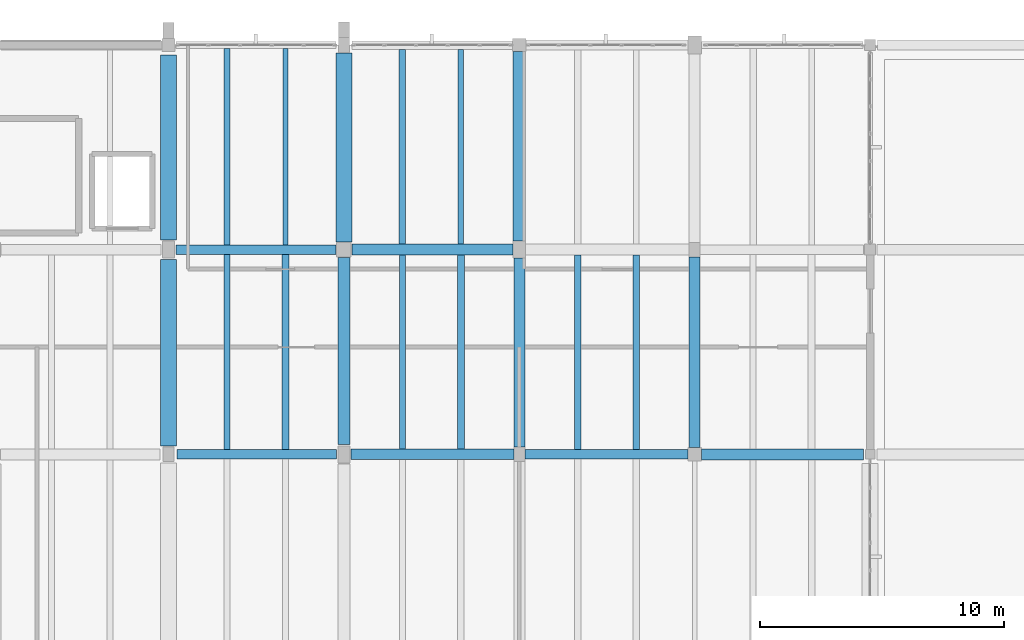
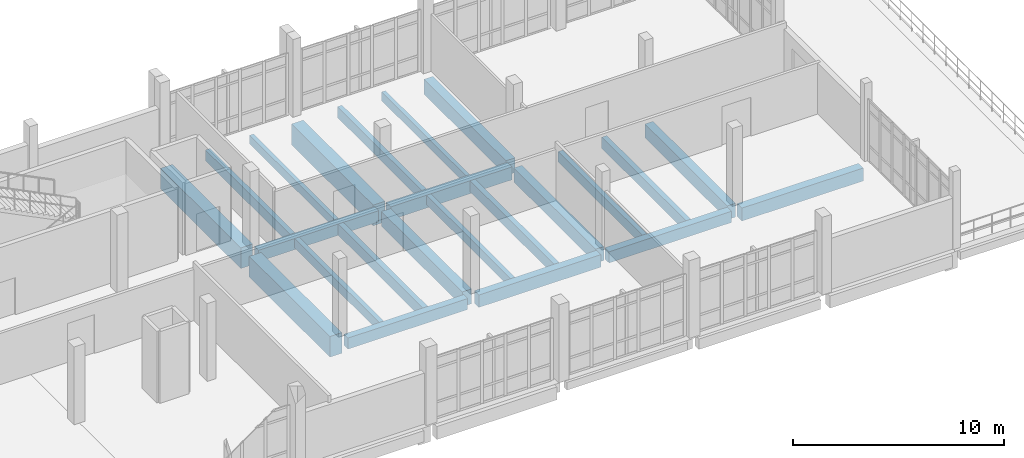
# One storey, part 37 of 62: 23 beams.
"""IFC4 building model written with IfcOpenShell, lengths in metres."""

from ifc_helpers import new_model, si_unit, direction, frame, origin, origin_2d, place, context, subcontext, project, spatial, rectangle, extrude, material, material_profile, profile_set, type_object, element, save


model = new_model("IFC4")

# Units and contexts
model_context = context("Model", 3, precision=1e-05, world=origin(), true_north=direction((0.0, 1.0)))
body_context = subcontext(model_context, "Body", "Model", "MODEL_VIEW")
ifc_project = project(units=[si_unit("LENGTHUNIT", "METRE"), si_unit("AREAUNIT", "SQUARE_METRE"), si_unit("VOLUMEUNIT", "CUBIC_METRE"), si_unit("PLANEANGLEUNIT", "RADIAN"), si_unit("MASSUNIT", "GRAM", prefix="KILO")], contexts=[model_context])

# Site, building, storey
site_placement = place(None, origin())
site = spatial("IfcSite", under=ifc_project, at=site_placement, CompositionType="ELEMENT")
building_placement = place(site_placement, origin())
building = spatial("IfcBuilding", under=site, at=building_placement, Name="Kalluvel Institute of Natural Sciences", CompositionType="ELEMENT")
storey_placement = place(building_placement, frame((0.0, 0.0, 27.89990234375)))
storey = spatial("IfcBuildingStorey", under=building, at=storey_placement, Name="L06", CompositionType="ELEMENT", Elevation=27.89990234375)

# Beams
ifc_material_1 = material(Name="Concrete M40", Category="concrete")
ifc_material_profile_1 = material_profile(ifc_material_1, rectangle(XDim=0.3798828125, YDim=0.639892578125, at=origin_2d()), Name="RCB 380x640")
ifc_profile_set_1 = profile_set([ifc_material_profile_1], Name="Concrete M40")
beam_type_1 = type_object("IfcBeamType", Name="BM-RC380x640", PredefinedType="BEAM", material=ifc_profile_set_1)
beam_1_placement = place(storey_placement, frame((79.14990234375, 111.199951171875, -0.639892578125), z_axis=(1.0, 0.0, 0.0), x_axis=(0.0, 1.0, 0.0)))
element("IfcBeam", 1, at=beam_1_placement, inside=storey, type_object=beam_type_1, Name="L06 girder GIR-L06-EW-X788-Y1112", PredefinedType="BEAM", context=body_context, shape_type="SweptSolid", body=[
    extrude(rectangle(XDim=0.3798828125, YDim=0.639892578125, at=origin_2d()), origin(), (0.0, 0.0, 1.0), 6.550048828125),
])
ifc_material_profile_2 = material_profile(ifc_material_1, rectangle(XDim=0.39990234375, YDim=0.64990234375, at=origin_2d()), Name="RCB 400x650")
ifc_profile_set_2 = profile_set([ifc_material_profile_2], Name="Concrete M40")
beam_type_2 = type_object("IfcBeamType", Name="BM-RC400x650", PredefinedType="BEAM", material=ifc_profile_set_2)
beam_2_placement = place(storey_placement, frame((93.425048828125, 111.199951171875, -0.64501953125), z_axis=(1.0, 0.0, 0.0), x_axis=(0.0, 1.0, 0.0)))
element("IfcBeam", 2, at=beam_2_placement, inside=storey, type_object=beam_type_2, Name="L06 girder GIR-L06-EW-X932-Y1112", PredefinedType="BEAM", context=body_context, shape_type="SweptSolid", body=[
    extrude(rectangle(XDim=0.39990234375, YDim=0.64990234375, at=origin_2d()), origin(), (0.0, 0.0, 1.0), 6.699951171875),
])
beam_3_placement = place(storey_placement, frame((79.10009765625, 119.60009765625, -0.64501953125), z_axis=(1.0, 0.0, 0.0), x_axis=(0.0, 1.0, 0.0)))
element("IfcBeam", 3, at=beam_3_placement, inside=storey, type_object=beam_type_2, Name="L06 girder GIR-L06-EW-X788-Y1196", PredefinedType="BEAM", context=body_context, shape_type="SweptSolid", body=[
    extrude(rectangle(XDim=0.39990234375, YDim=0.64990234375, at=origin_2d()), origin(), (0.0, 0.0, 1.0), 6.574951171875),
])
ifc_material_profile_3 = material_profile(ifc_material_1, rectangle(XDim=0.419921875, YDim=0.719970703125, at=origin_2d()), Name="RCB 420x720")
ifc_profile_set_3 = profile_set([ifc_material_profile_3], Name="Concrete M40")
beam_type_3 = type_object("IfcBeamType", Name="BM-RC420x720", PredefinedType="BEAM", material=ifc_profile_set_3)
beam_4_placement = place(storey_placement, frame((86.300048828125, 111.199951171875, -0.679931640625), z_axis=(1.0, 0.0, 0.0), x_axis=(0.0, 1.0, 0.0)))
element("IfcBeam", 4, at=beam_4_placement, inside=storey, type_object=beam_type_3, Name="L06 girder GIR-L06-EW-X860-Y1112", PredefinedType="BEAM", context=body_context, shape_type="SweptSolid", body=[
    extrude(rectangle(XDim=0.419921875, YDim=0.719970703125, at=origin_2d()), origin(), (0.0, 0.0, 1.0), 6.675048828125),
])
ifc_material_profile_4 = material_profile(ifc_material_1, rectangle(XDim=0.449951171875, YDim=0.75, at=origin_2d()), Name="RCB 450x750")
ifc_profile_set_4 = profile_set([ifc_material_profile_4], Name="Concrete M40")
beam_type_4 = type_object("IfcBeamType", Name="BM-RC450x750", PredefinedType="BEAM", material=ifc_profile_set_4)
beam_5_placement = place(storey_placement, frame((100.675048828125, 111.199951171875, -0.69482421875), z_axis=(1.0, 0.0, 0.0), x_axis=(0.0, 1.0, 0.0)))
element("IfcBeam", 5, at=beam_5_placement, inside=storey, type_object=beam_type_4, Name="L06 girder GIR-L06-EW-X1004-Y1112", PredefinedType="BEAM", context=body_context, shape_type="SweptSolid", body=[
    extrude(rectangle(XDim=0.449951171875, YDim=0.75, at=origin_2d()), origin(), (0.0, 0.0, 1.0), 6.64990234375),
])
beam_6_placement = place(storey_placement, frame((86.324951171875, 119.60009765625, -0.69482421875), z_axis=(1.0, 0.0, 0.0), x_axis=(0.0, 1.0, 0.0)))
element("IfcBeam", 6, at=beam_6_placement, inside=storey, type_object=beam_type_4, Name="L06 girder GIR-L06-EW-X860-Y1196", PredefinedType="BEAM", context=body_context, shape_type="SweptSolid", body=[
    extrude(rectangle(XDim=0.449951171875, YDim=0.75, at=origin_2d()), origin(), (0.0, 0.0, 1.0), 6.625),
])
ifc_material_profile_5 = material_profile(ifc_material_1, rectangle(XDim=0.449951171875, YDim=0.800048828125, at=origin_2d()), Name="RCB 450x800")
ifc_profile_set_5 = profile_set([ifc_material_profile_5], Name="Concrete M40")
beam_type_5 = type_object("IfcBeamType", Name="BM-RC450x800", PredefinedType="BEAM", material=ifc_profile_set_5)
beam_7_placement = place(storey_placement, frame((93.199951171875, 111.5, -0.719970703125), z_axis=(0.0, 1.0, 0.0), x_axis=(-1.0, 0.0, 0.0)))
element("IfcBeam", 7, at=beam_7_placement, inside=storey, type_object=beam_type_5, Name="L06 girder GIR-L06-NS-X932-Y1112", PredefinedType="BEAM", context=body_context, shape_type="SweptSolid", body=[
    extrude(rectangle(XDim=0.449951171875, YDim=0.800048828125, at=origin_2d()), origin(), (0.0, 0.0, 1.0), 7.75),
])
beam_8_placement = place(storey_placement, frame((100.39990234375, 111.47509765625, -0.719970703125), z_axis=(0.0, 1.0, 0.0), x_axis=(-1.0, 0.0, 0.0)))
element("IfcBeam", 8, at=beam_8_placement, inside=storey, type_object=beam_type_5, Name="L06 girder GIR-L06-NS-X1004-Y1112", PredefinedType="BEAM", context=body_context, shape_type="SweptSolid", body=[
    extrude(rectangle(XDim=0.449951171875, YDim=0.800048828125, at=origin_2d()), origin(), (0.0, 0.0, 1.0), 7.824951171875),
])
ifc_material_2 = material(Name="Concrete M50", Category="concrete")
ifc_material_profile_6 = material_profile(ifc_material_2, rectangle(XDim=0.5, YDim=0.85009765625, at=origin_2d()), Name="RCB 500x850")
ifc_profile_set_6 = profile_set([ifc_material_profile_6], Name="Concrete M50")
beam_type_6 = type_object("IfcBeamType", Name="BM-RC500x850", PredefinedType="BEAM", material=ifc_profile_set_6)
beam_9_placement = place(storey_placement, frame((86.0, 111.60009765625, -0.744873046875), z_axis=(0.0, 1.0, 0.0), x_axis=(-1.0, 0.0, 0.0)))
element("IfcBeam", 9, at=beam_9_placement, inside=storey, type_object=beam_type_6, Name="L06 girder GIR-L06-NS-X860-Y1112", PredefinedType="BEAM", context=body_context, shape_type="SweptSolid", body=[
    extrude(rectangle(XDim=0.5, YDim=0.85009765625, at=origin_2d()), origin(), (0.0, 0.0, 1.0), 7.6748046875),
])
beam_10_placement = place(storey_placement, frame((93.199951171875, 119.949951171875, -0.744873046875), z_axis=(0.0, 1.0, 0.0), x_axis=(-1.0, 0.0, 0.0)))
element("IfcBeam", 10, at=beam_10_placement, inside=storey, type_object=beam_type_6, Name="L06 girder GIR-L06-NS-X932-Y1196", PredefinedType="BEAM", context=body_context, shape_type="SweptSolid", body=[
    extrude(rectangle(XDim=0.5, YDim=0.85009765625, at=origin_2d()), origin(), (0.0, 0.0, 1.0), 7.775146484375),
])
ifc_material_profile_7 = material_profile(ifc_material_2, rectangle(XDim=0.64990234375, YDim=1.199951171875, at=origin_2d()), Name="RCB 650x1200")
ifc_profile_set_7 = profile_set([ifc_material_profile_7], Name="Concrete M50")
beam_type_7 = type_object("IfcBeamType", Name="BM-RC650x1200", PredefinedType="BEAM", material=ifc_profile_set_7)
beam_11_placement = place(storey_placement, frame((78.800048828125, 111.550048828125, -0.919921875), z_axis=(0.0, 1.0, 0.0), x_axis=(-1.0, 0.0, 0.0)))
element("IfcBeam", 11, at=beam_11_placement, inside=storey, type_object=beam_type_7, Name="L06 girder GIR-L06-NS-X788-Y1112", PredefinedType="BEAM", context=body_context, shape_type="SweptSolid", body=[
    extrude(rectangle(XDim=0.64990234375, YDim=1.199951171875, at=origin_2d()), origin(), (0.0, 0.0, 1.0), 7.64990234375),
])
beam_12_placement = place(storey_placement, frame((78.800048828125, 120.0, -0.919921875), z_axis=(0.0, 1.0, 0.0), x_axis=(-1.0, 0.0, 0.0)))
element("IfcBeam", 12, at=beam_12_placement, inside=storey, type_object=beam_type_7, Name="L06 girder GIR-L06-NS-X788-Y1196", PredefinedType="BEAM", context=body_context, shape_type="SweptSolid", body=[
    extrude(rectangle(XDim=0.64990234375, YDim=1.199951171875, at=origin_2d()), origin(), (0.0, 0.0, 1.0), 7.60009765625),
])
beam_13_placement = place(storey_placement, frame((86.0, 119.925048828125, -0.919921875), z_axis=(0.0, 1.0, 0.0), x_axis=(-1.0, 0.0, 0.0)))
element("IfcBeam", 13, at=beam_13_placement, inside=storey, type_object=beam_type_7, Name="L06 girder GIR-L06-NS-X860-Y1196", PredefinedType="BEAM", context=body_context, shape_type="SweptSolid", body=[
    extrude(rectangle(XDim=0.64990234375, YDim=1.199951171875, at=origin_2d()), origin(), (0.0, 0.0, 1.0), 7.75),
])
ifc_material_profile_8 = material_profile(ifc_material_1, rectangle(XDim=0.219970703125, YDim=0.5, at=origin_2d()), Name="WAF 220x500")
ifc_profile_set_8 = profile_set([ifc_material_profile_8], Name="Concrete M40")
beam_type_8 = type_object("IfcBeamType", Name="WJ-220x500", PredefinedType="JOIST", material=ifc_profile_set_8)
beam_14_placement = place(storey_placement, frame((83.60009765625, 119.800048828125, -0.56982421875), z_axis=(0.0, 1.0, 0.0), x_axis=(-1.0, 0.0, 0.0)))
element("IfcBeam", 14, at=beam_14_placement, inside=storey, type_object=beam_type_8, Name="L06 waffle joist RIB-L06-0493", PredefinedType="JOIST", context=body_context, shape_type="SweptSolid", body=[
    extrude(rectangle(XDim=0.219970703125, YDim=0.5, at=origin_2d()), origin(), (0.0, 0.0, 1.0), 8.050048828125),
])
beam_15_placement = place(storey_placement, frame((90.800048828125, 119.824951171875, -0.56982421875), z_axis=(0.0, 1.0, 0.0), x_axis=(-1.0, 0.0, 0.0)))
element("IfcBeam", 15, at=beam_15_placement, inside=storey, type_object=beam_type_8, Name="L06 waffle joist RIB-L06-0499", PredefinedType="JOIST", context=body_context, shape_type="SweptSolid", body=[
    extrude(rectangle(XDim=0.219970703125, YDim=0.5, at=origin_2d()), origin(), (0.0, 0.0, 1.0), 8.0),
])
ifc_material_profile_9 = material_profile(ifc_material_1, rectangle(XDim=0.25, YDim=0.550048828125, at=origin_2d()), Name="WAF 250x550")
ifc_profile_set_9 = profile_set([ifc_material_profile_9], Name="Concrete M40")
beam_type_9 = type_object("IfcBeamType", Name="WJ-250x550", PredefinedType="JOIST", material=ifc_profile_set_9)
beam_16_placement = place(storey_placement, frame((81.199951171875, 111.389892578125, -0.594970703125), z_axis=(0.0, 1.0, 0.0), x_axis=(-1.0, 0.0, 0.0)))
element("IfcBeam", 16, at=beam_16_placement, inside=storey, type_object=beam_type_9, Name="L06 waffle joist RIB-L06-0490", PredefinedType="JOIST", context=body_context, shape_type="SweptSolid", body=[
    extrude(rectangle(XDim=0.25, YDim=0.550048828125, at=origin_2d()), origin(), (0.0, 0.0, 1.0), 8.010009765625),
])
beam_17_placement = place(storey_placement, frame((88.39990234375, 111.409912109375, -0.594970703125), z_axis=(0.0, 1.0, 0.0), x_axis=(-1.0, 0.0, 0.0)))
element("IfcBeam", 17, at=beam_17_placement, inside=storey, type_object=beam_type_9, Name="L06 waffle joist RIB-L06-0496", PredefinedType="JOIST", context=body_context, shape_type="SweptSolid", body=[
    extrude(rectangle(XDim=0.25, YDim=0.550048828125, at=origin_2d()), origin(), (0.0, 0.0, 1.0), 7.965087890625),
])
ifc_material_profile_10 = material_profile(ifc_material_1, rectangle(XDim=0.25, YDim=0.60009765625, at=origin_2d()), Name="WAF 250x600")
ifc_profile_set_10 = profile_set([ifc_material_profile_10], Name="Concrete M40")
beam_type_10 = type_object("IfcBeamType", Name="WJ-250x600", PredefinedType="JOIST", material=ifc_profile_set_10)
beam_18_placement = place(storey_placement, frame((95.60009765625, 111.39990234375, -0.619873046875), z_axis=(0.0, 1.0, 0.0), x_axis=(-1.0, 0.0, 0.0)))
element("IfcBeam", 18, at=beam_18_placement, inside=storey, type_object=beam_type_10, Name="L06 waffle joist RIB-L06-0502", PredefinedType="JOIST", context=body_context, shape_type="SweptSolid", body=[
    extrude(rectangle(XDim=0.25, YDim=0.60009765625, at=origin_2d()), origin(), (0.0, 0.0, 1.0), 7.97509765625),
])
ifc_material_profile_11 = material_profile(ifc_material_2, rectangle(XDim=0.260009765625, YDim=0.6201171875, at=origin_2d()), Name="WAF 260x620")
ifc_profile_set_11 = profile_set([ifc_material_profile_11], Name="Concrete M50")
beam_type_11 = type_object("IfcBeamType", Name="WJ-260x620", PredefinedType="JOIST", material=ifc_profile_set_11)
beam_19_placement = place(storey_placement, frame((81.199951171875, 119.800048828125, -0.6298828125), z_axis=(0.0, 1.0, 0.0), x_axis=(-1.0, 0.0, 0.0)))
element("IfcBeam", 19, at=beam_19_placement, inside=storey, type_object=beam_type_11, Name="L06 waffle joist RIB-L06-0492", PredefinedType="JOIST", context=body_context, shape_type="SweptSolid", body=[
    extrude(rectangle(XDim=0.260009765625, YDim=0.6201171875, at=origin_2d()), origin(), (0.0, 0.0, 1.0), 8.050048828125),
])
beam_20_placement = place(storey_placement, frame((88.39990234375, 119.824951171875, -0.6298828125), z_axis=(0.0, 1.0, 0.0), x_axis=(-1.0, 0.0, 0.0)))
element("IfcBeam", 20, at=beam_20_placement, inside=storey, type_object=beam_type_11, Name="L06 waffle joist RIB-L06-0498", PredefinedType="JOIST", context=body_context, shape_type="SweptSolid", body=[
    extrude(rectangle(XDim=0.260009765625, YDim=0.6201171875, at=origin_2d()), origin(), (0.0, 0.0, 1.0), 8.0),
])
ifc_material_profile_12 = material_profile(ifc_material_2, rectangle(XDim=0.280029296875, YDim=0.64990234375, at=origin_2d()), Name="WAF 280x650")
ifc_profile_set_12 = profile_set([ifc_material_profile_12], Name="Concrete M50")
beam_type_12 = type_object("IfcBeamType", Name="WJ-280x650", PredefinedType="JOIST", material=ifc_profile_set_12)
beam_21_placement = place(storey_placement, frame((83.60009765625, 111.389892578125, -0.64501953125), z_axis=(0.0, 1.0, 0.0), x_axis=(-1.0, 0.0, 0.0)))
element("IfcBeam", 21, at=beam_21_placement, inside=storey, type_object=beam_type_12, Name="L06 waffle joist RIB-L06-0491", PredefinedType="JOIST", context=body_context, shape_type="SweptSolid", body=[
    extrude(rectangle(XDim=0.280029296875, YDim=0.64990234375, at=origin_2d()), origin(), (0.0, 0.0, 1.0), 8.010009765625),
])
beam_22_placement = place(storey_placement, frame((90.800048828125, 111.409912109375, -0.64501953125), z_axis=(0.0, 1.0, 0.0), x_axis=(-1.0, 0.0, 0.0)))
element("IfcBeam", 22, at=beam_22_placement, inside=storey, type_object=beam_type_12, Name="L06 waffle joist RIB-L06-0497", PredefinedType="JOIST", context=body_context, shape_type="SweptSolid", body=[
    extrude(rectangle(XDim=0.280029296875, YDim=0.64990234375, at=origin_2d()), origin(), (0.0, 0.0, 1.0), 7.965087890625),
])
beam_23_placement = place(storey_placement, frame((98.0, 111.39990234375, -0.64501953125), z_axis=(0.0, 1.0, 0.0), x_axis=(-1.0, 0.0, 0.0)))
element("IfcBeam", 23, at=beam_23_placement, inside=storey, type_object=beam_type_12, Name="L06 waffle joist RIB-L06-0503", PredefinedType="JOIST", context=body_context, shape_type="SweptSolid", body=[
    extrude(rectangle(XDim=0.280029296875, YDim=0.64990234375, at=origin_2d()), origin(), (0.0, 0.0, 1.0), 7.97509765625),
])

save(model, "model.ifc")
